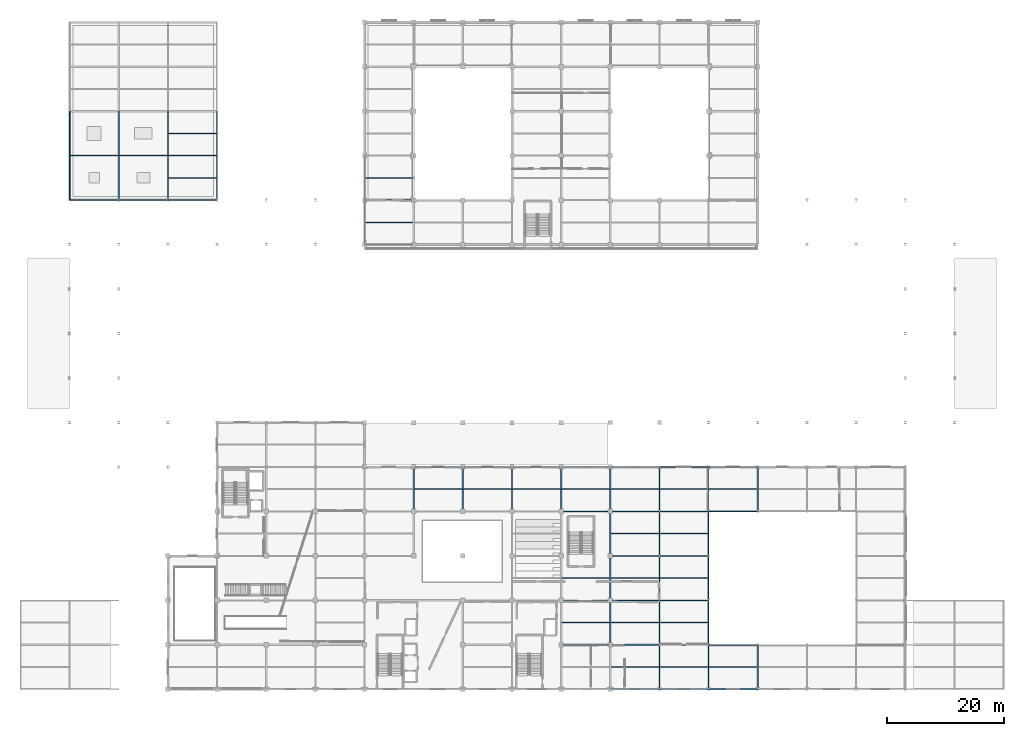
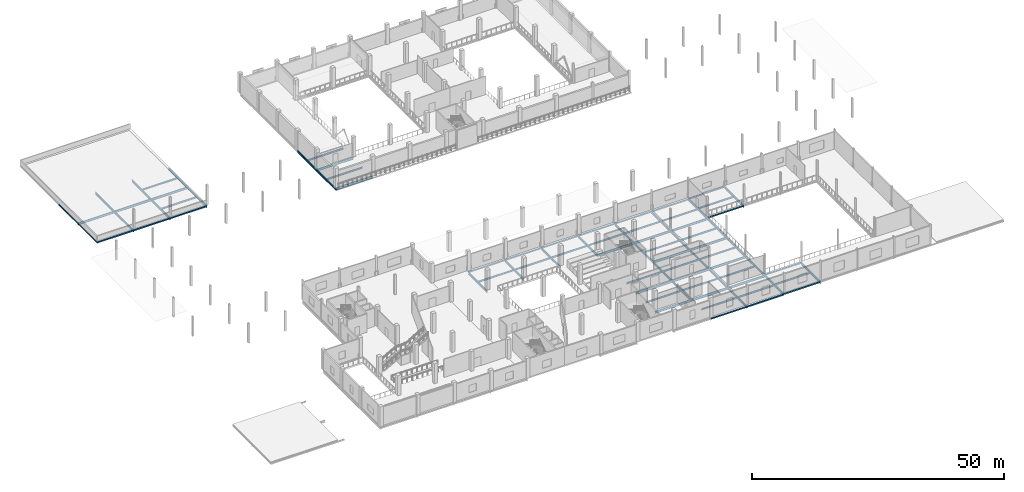
# One storey, part 17 of 51: 83 beams.
"""IFC4 building model written with IfcOpenShell, lengths in metres."""

from ifc_helpers import new_model, si_unit, direction, frame, origin, origin_2d, place, context, subcontext, project, spatial, hollow_rectangle, i_section, extrude, material, material_profile, profile_set, type_object, element, save


model = new_model("IFC4")

# Units and contexts
model_context = context("Model", 3, precision=1e-05, world=origin(), true_north=direction((0.0, 1.0)))
body_context = subcontext(model_context, "Body", "Model", "MODEL_VIEW")
ifc_project = project(units=[si_unit("LENGTHUNIT", "METRE"), si_unit("AREAUNIT", "SQUARE_METRE"), si_unit("VOLUMEUNIT", "CUBIC_METRE"), si_unit("PLANEANGLEUNIT", "RADIAN"), si_unit("MASSUNIT", "GRAM", prefix="KILO")], contexts=[model_context])

# Site, building, storey
site_placement = place(None, origin())
site = spatial("IfcSite", under=ifc_project, at=site_placement, CompositionType="ELEMENT")
building_placement = place(site_placement, origin())
building = spatial("IfcBuilding", under=site, at=building_placement, Name="Zuvorla Pavilion Media Centre", CompositionType="ELEMENT")
storey_placement = place(building_placement, frame((0.0, 0.0, 4.800048828125)))
storey = spatial("IfcBuildingStorey", under=building, at=storey_placement, Name="L01", CompositionType="ELEMENT", Elevation=4.800048828125)

# Beams
ifc_material = material(Name="Steel S355", Category="steel")
ifc_material_profile_1 = material_profile(ifc_material, hollow_rectangle(XDim=0.14990234375, YDim=0.25, WallThickness=0.010009765625, at=origin_2d()), Name="RHS 250x150x10")
ifc_profile_set_1 = profile_set([ifc_material_profile_1], Name="Steel S355")
beam_type_1 = type_object("IfcBeamType", Name="BM-SP-RHS250", PredefinedType="SPANDREL", material=ifc_profile_set_1)
beam_1_placement = place(storey_placement, frame((16.39990234375, 89.60009765625, -0.4130859375), z_axis=(0.0, 1.0, 0.0), x_axis=(-1.0, 0.0, 0.0)))
element("IfcBeam", 1, at=beam_1_placement, inside=storey, type_object=beam_type_1, Name="L01 spandrel SP02 573", PredefinedType="SPANDREL", context=body_context, shape_type="SweptSolid", body=[
    extrude(hollow_rectangle(XDim=0.14990234375, YDim=0.25, WallThickness=0.010009765625, at=origin_2d()), origin(), (0.0, 0.0, 1.0), 7.599853515625),
])
beam_2_placement = place(storey_placement, frame((16.39990234375, 97.199951171875, -0.4130859375), z_axis=(0.0, 1.0, 0.0), x_axis=(-1.0, 0.0, 0.0)))
element("IfcBeam", 2, at=beam_2_placement, inside=storey, type_object=beam_type_1, Name="L01 spandrel SP02 574", PredefinedType="SPANDREL", context=body_context, shape_type="SweptSolid", body=[
    extrude(hollow_rectangle(XDim=0.14990234375, YDim=0.25, WallThickness=0.010009765625, at=origin_2d()), origin(), (0.0, 0.0, 1.0), 7.60009765625),
])
ifc_material_profile_2 = material_profile(ifc_material, hollow_rectangle(XDim=0.199951171875, YDim=0.300048828125, WallThickness=0.012451171875, at=origin_2d()), Name="RHS 300x200x12.5")
ifc_profile_set_2 = profile_set([ifc_material_profile_2], Name="Steel S355")
beam_type_2 = type_object("IfcBeamType", Name="BM-SP-RHS300", PredefinedType="SPANDREL", material=ifc_profile_set_2)
beam_3_placement = place(storey_placement, frame((108.800048828125, 6.0, -0.578125), z_axis=(1.0, 0.0, 0.0), x_axis=(0.0, 1.0, 0.0)))
element("IfcBeam", 3, at=beam_3_placement, inside=storey, type_object=beam_type_2, Name="L01 spandrel SP01 439", PredefinedType="SPANDREL", context=body_context, shape_type="SweptSolid", body=[
    extrude(hollow_rectangle(XDim=0.199951171875, YDim=0.300048828125, WallThickness=0.012451171875, at=origin_2d()), origin(), (0.0, 0.0, 1.0), 8.39990234375),
])
beam_4_placement = place(storey_placement, frame((117.199951171875, 6.0, -0.578125), z_axis=(1.0, 0.0, 0.0), x_axis=(0.0, 1.0, 0.0)))
element("IfcBeam", 4, at=beam_4_placement, inside=storey, type_object=beam_type_2, Name="L01 spandrel SP01 440", PredefinedType="SPANDREL", context=body_context, shape_type="SweptSolid", body=[
    extrude(hollow_rectangle(XDim=0.199951171875, YDim=0.300048828125, WallThickness=0.012451171875, at=origin_2d()), origin(), (0.0, 0.0, 1.0), 8.400146484375),
])
for number, where, z_axis, x_axis, name in (
    (5, (125.60009765625, 6.0, -0.43798828125), (1.0, 0.0, 0.0), (0.0, 1.0, 0.0), "L01 spandrel SP01 441"),
    (6, (125.60009765625, 13.60009765625, -0.43798828125), (1.0, 0.0, 0.0), (0.0, 1.0, 0.0), "L01 spandrel SP01 457"),
    (7, (125.60009765625, 36.39990234375, -0.43798828125), (1.0, 0.0, 0.0), (0.0, 1.0, 0.0), "L01 spandrel SP01 495"),
):
    element("IfcBeam", number, at=place(storey_placement, frame(where, z_axis=z_axis, x_axis=x_axis)), inside=storey, type_object=beam_type_2, Name=name, PredefinedType="SPANDREL", context=body_context, shape_type="SweptSolid", body=[
        extrude(hollow_rectangle(XDim=0.199951171875, YDim=0.300048828125, WallThickness=0.012451171875, at=origin_2d()), origin(), (0.0, 0.0, 1.0), 8.39990234375),
    ])
beam_5_placement = place(storey_placement, frame((75.199951171875, 44.0, -0.578125), z_axis=(1.0, 0.0, 0.0), x_axis=(0.0, 1.0, 0.0)))
element("IfcBeam", 8, at=beam_5_placement, inside=storey, type_object=beam_type_2, Name="L01 spandrel SP01 503", PredefinedType="SPANDREL", context=body_context, shape_type="SweptSolid", body=[
    extrude(hollow_rectangle(XDim=0.199951171875, YDim=0.300048828125, WallThickness=0.012451171875, at=origin_2d()), origin(), (0.0, 0.0, 1.0), 8.400146484375),
])
for number, where, z_axis, x_axis, name in (
    (9, (83.60009765625, 44.0, -0.578125), (1.0, 0.0, 0.0), (0.0, 1.0, 0.0), "L01 spandrel SP01 504"),
    (10, (92.0, 44.0, -0.578125), (1.0, 0.0, 0.0), (0.0, 1.0, 0.0), "L01 spandrel SP01 505"),
):
    element("IfcBeam", number, at=place(storey_placement, frame(where, z_axis=z_axis, x_axis=x_axis)), inside=storey, type_object=beam_type_2, Name=name, PredefinedType="SPANDREL", context=body_context, shape_type="SweptSolid", body=[
        extrude(hollow_rectangle(XDim=0.199951171875, YDim=0.300048828125, WallThickness=0.012451171875, at=origin_2d()), origin(), (0.0, 0.0, 1.0), 8.39990234375),
    ])
beam_6_placement = place(storey_placement, frame((100.39990234375, 44.0, -0.578125), z_axis=(1.0, 0.0, 0.0), x_axis=(0.0, 1.0, 0.0)))
element("IfcBeam", 11, at=beam_6_placement, inside=storey, type_object=beam_type_2, Name="L01 spandrel SP01 506", PredefinedType="SPANDREL", context=body_context, shape_type="SweptSolid", body=[
    extrude(hollow_rectangle(XDim=0.199951171875, YDim=0.300048828125, WallThickness=0.012451171875, at=origin_2d()), origin(), (0.0, 0.0, 1.0), 8.400146484375),
])
beam_7_placement = place(storey_placement, frame((108.800048828125, 44.0, -0.578125), z_axis=(1.0, 0.0, 0.0), x_axis=(0.0, 1.0, 0.0)))
element("IfcBeam", 12, at=beam_7_placement, inside=storey, type_object=beam_type_2, Name="L01 spandrel SP01 507", PredefinedType="SPANDREL", context=body_context, shape_type="SweptSolid", body=[
    extrude(hollow_rectangle(XDim=0.199951171875, YDim=0.300048828125, WallThickness=0.012451171875, at=origin_2d()), origin(), (0.0, 0.0, 1.0), 8.39990234375),
])
beam_8_placement = place(storey_placement, frame((117.199951171875, 44.0, -0.578125), z_axis=(1.0, 0.0, 0.0), x_axis=(0.0, 1.0, 0.0)))
element("IfcBeam", 13, at=beam_8_placement, inside=storey, type_object=beam_type_2, Name="L01 spandrel SP01 508", PredefinedType="SPANDREL", context=body_context, shape_type="SweptSolid", body=[
    extrude(hollow_rectangle(XDim=0.199951171875, YDim=0.300048828125, WallThickness=0.012451171875, at=origin_2d()), origin(), (0.0, 0.0, 1.0), 8.400146484375),
])
beam_9_placement = place(storey_placement, frame((125.60009765625, 44.0, -0.43798828125), z_axis=(1.0, 0.0, 0.0), x_axis=(0.0, 1.0, 0.0)))
element("IfcBeam", 14, at=beam_9_placement, inside=storey, type_object=beam_type_2, Name="L01 spandrel SP01 509", PredefinedType="SPANDREL", context=body_context, shape_type="SweptSolid", body=[
    extrude(hollow_rectangle(XDim=0.199951171875, YDim=0.300048828125, WallThickness=0.012451171875, at=origin_2d()), origin(), (0.0, 0.0, 1.0), 8.39990234375),
])
beam_10_placement = place(storey_placement, frame((16.39990234375, 89.60009765625, -0.43798828125), z_axis=(1.0, 0.0, 0.0), x_axis=(0.0, 1.0, 0.0)))
element("IfcBeam", 15, at=beam_10_placement, inside=storey, type_object=beam_type_2, Name="L01 spandrel SP01 523", PredefinedType="SPANDREL", context=body_context, shape_type="SweptSolid", body=[
    extrude(hollow_rectangle(XDim=0.199951171875, YDim=0.300048828125, WallThickness=0.012451171875, at=origin_2d()), origin(), (0.0, 0.0, 1.0), 8.400146484375),
])
beam_11_placement = place(storey_placement, frame((24.800048828125, 89.60009765625, -0.43798828125), z_axis=(1.0, 0.0, 0.0), x_axis=(0.0, 1.0, 0.0)))
element("IfcBeam", 16, at=beam_11_placement, inside=storey, type_object=beam_type_2, Name="L01 spandrel SP01 524", PredefinedType="SPANDREL", context=body_context, shape_type="SweptSolid", body=[
    extrude(hollow_rectangle(XDim=0.199951171875, YDim=0.300048828125, WallThickness=0.012451171875, at=origin_2d()), origin(), (0.0, 0.0, 1.0), 8.39990234375),
])
beam_12_placement = place(storey_placement, frame((33.199951171875, 89.60009765625, -0.43798828125), z_axis=(1.0, 0.0, 0.0), x_axis=(0.0, 1.0, 0.0)))
element("IfcBeam", 17, at=beam_12_placement, inside=storey, type_object=beam_type_2, Name="L01 spandrel SP01 525", PredefinedType="SPANDREL", context=body_context, shape_type="SweptSolid", body=[
    extrude(hollow_rectangle(XDim=0.199951171875, YDim=0.300048828125, WallThickness=0.012451171875, at=origin_2d()), origin(), (0.0, 0.0, 1.0), 8.400146484375),
])
ifc_material_profile_3 = material_profile(ifc_material, i_section(OverallWidth=0.1787109375, OverallDepth=0.409423828125, WebThickness=0.0087890625, FlangeThickness=0.014404296875, FilletRadius=0.01025390625, at=origin_2d()), Name="UB 406x178x67")
ifc_profile_set_3 = profile_set([ifc_material_profile_3], Name="Steel S355")
beam_type_3 = type_object("IfcBeamType", Name="BM-UB406", PredefinedType="JOIST", material=ifc_profile_set_3)
for number, where, z_axis, x_axis, name in (
    (18, (33.300048828125, 93.39990234375, -0.49267578125), (1.0, 0.0, 0.0), (0.0, 1.0, 0.0), "L01 joist J02 708"),
    (19, (33.300048828125, 101.0, -0.49267578125), (1.0, 0.0, 0.0), (0.0, 1.0, 0.0), "L01 joist J02 709"),
):
    element("IfcBeam", number, at=place(storey_placement, frame(where, z_axis=z_axis, x_axis=x_axis)), inside=storey, type_object=beam_type_3, Name=name, PredefinedType="JOIST", context=body_context, shape_type="SweptSolid", body=[
        extrude(i_section(OverallWidth=0.1787109375, OverallDepth=0.409423828125, WebThickness=0.0087890625, FlangeThickness=0.014404296875, FilletRadius=0.01025390625, at=origin_2d()), origin(), (0.0, 0.0, 1.0), 8.199951171875),
    ])
for number, where, z_axis, x_axis, name in (
    (20, (66.89990234375, 85.800048828125, -0.49267578125), (1.0, 0.0, 0.0), (0.0, 1.0, 0.0), "L01 joist J02 727"),
    (21, (66.89990234375, 93.39990234375, -0.49267578125), (1.0, 0.0, 0.0), (0.0, 1.0, 0.0), "L01 joist J02 728"),
):
    element("IfcBeam", number, at=place(storey_placement, frame(where, z_axis=z_axis, x_axis=x_axis)), inside=storey, type_object=beam_type_3, Name=name, PredefinedType="JOIST", context=body_context, shape_type="SweptSolid", body=[
        extrude(i_section(OverallWidth=0.1787109375, OverallDepth=0.409423828125, WebThickness=0.0087890625, FlangeThickness=0.014404296875, FilletRadius=0.01025390625, at=origin_2d()), origin(), (0.0, 0.0, 1.0), 8.2001953125),
    ])
for number, where, z_axis, x_axis, name in (
    (22, (75.300048828125, 40.199951171875, -0.6328125), (1.0, 0.0, 0.0), (0.0, 1.0, 0.0), "L01 joist J02 732"),
    (23, (83.699951171875, 40.199951171875, -0.6328125), (1.0, 0.0, 0.0), (0.0, 1.0, 0.0), "L01 joist J02 737"),
    (24, (92.10009765625, 40.199951171875, -0.6328125), (1.0, 0.0, 0.0), (0.0, 1.0, 0.0), "L01 joist J02 742"),
    (25, (100.5, 17.39990234375, -0.6328125), (1.0, 0.0, 0.0), (0.0, 1.0, 0.0), "L01 joist J02 748"),
    (26, (100.5, 25.0, -0.6328125), (1.0, 0.0, 0.0), (0.0, 1.0, 0.0), "L01 joist J02 749"),
    (27, (100.5, 40.199951171875, -0.6328125), (1.0, 0.0, 0.0), (0.0, 1.0, 0.0), "L01 joist J02 750"),
):
    element("IfcBeam", number, at=place(storey_placement, frame(where, z_axis=z_axis, x_axis=x_axis)), inside=storey, type_object=beam_type_3, Name=name, PredefinedType="JOIST", context=body_context, shape_type="SweptSolid", body=[
        extrude(i_section(OverallWidth=0.1787109375, OverallDepth=0.409423828125, WebThickness=0.0087890625, FlangeThickness=0.014404296875, FilletRadius=0.01025390625, at=origin_2d()), origin(), (0.0, 0.0, 1.0), 8.199951171875),
    ])
for number, where, z_axis, x_axis, name in (
    (28, (108.89990234375, 9.800048828125, -0.6328125), (1.0, 0.0, 0.0), (0.0, 1.0, 0.0), "L01 joist J02 756"),
    (29, (108.89990234375, 17.39990234375, -0.6328125), (1.0, 0.0, 0.0), (0.0, 1.0, 0.0), "L01 joist J02 757"),
    (30, (108.89990234375, 25.0, -0.6328125), (1.0, 0.0, 0.0), (0.0, 1.0, 0.0), "L01 joist J02 758"),
    (31, (108.89990234375, 32.60009765625, -0.6328125), (1.0, 0.0, 0.0), (0.0, 1.0, 0.0), "L01 joist J02 759"),
    (32, (108.89990234375, 40.199951171875, -0.6328125), (1.0, 0.0, 0.0), (0.0, 1.0, 0.0), "L01 joist J02 760"),
):
    element("IfcBeam", number, at=place(storey_placement, frame(where, z_axis=z_axis, x_axis=x_axis)), inside=storey, type_object=beam_type_3, Name=name, PredefinedType="JOIST", context=body_context, shape_type="SweptSolid", body=[
        extrude(i_section(OverallWidth=0.1787109375, OverallDepth=0.409423828125, WebThickness=0.0087890625, FlangeThickness=0.014404296875, FilletRadius=0.01025390625, at=origin_2d()), origin(), (0.0, 0.0, 1.0), 8.2001953125),
    ])
for number, where, z_axis, x_axis, name in (
    (33, (117.300048828125, 9.800048828125, -0.6328125), (1.0, 0.0, 0.0), (0.0, 1.0, 0.0), "L01 joist J02 763"),
    (34, (117.300048828125, 17.39990234375, -0.6328125), (1.0, 0.0, 0.0), (0.0, 1.0, 0.0), "L01 joist J02 764"),
    (35, (117.300048828125, 25.0, -0.6328125), (1.0, 0.0, 0.0), (0.0, 1.0, 0.0), "L01 joist J02 765"),
    (36, (117.300048828125, 32.60009765625, -0.6328125), (1.0, 0.0, 0.0), (0.0, 1.0, 0.0), "L01 joist J02 766"),
    (37, (117.300048828125, 40.199951171875, -0.6328125), (1.0, 0.0, 0.0), (0.0, 1.0, 0.0), "L01 joist J02 767"),
    (38, (125.699951171875, 9.800048828125, -0.49267578125), (1.0, 0.0, 0.0), (0.0, 1.0, 0.0), "L01 joist J02 770"),
    (39, (125.699951171875, 40.199951171875, -0.49267578125), (1.0, 0.0, 0.0), (0.0, 1.0, 0.0), "L01 joist J02 771"),
):
    element("IfcBeam", number, at=place(storey_placement, frame(where, z_axis=z_axis, x_axis=x_axis)), inside=storey, type_object=beam_type_3, Name=name, PredefinedType="JOIST", context=body_context, shape_type="SweptSolid", body=[
        extrude(i_section(OverallWidth=0.1787109375, OverallDepth=0.409423828125, WebThickness=0.0087890625, FlangeThickness=0.014404296875, FilletRadius=0.01025390625, at=origin_2d()), origin(), (0.0, 0.0, 1.0), 8.199951171875),
    ])
ifc_material_profile_4 = material_profile(ifc_material, i_section(OverallWidth=0.2099609375, OverallDepth=0.53662109375, WebThickness=0.0107421875, FlangeThickness=0.017333984375, FilletRadius=0.0126953125, at=origin_2d()), Name="UB 533x210x101")
ifc_profile_set_4 = profile_set([ifc_material_profile_4], Name="Steel S355")
beam_type_4 = type_object("IfcBeamType", Name="BM-UB533", PredefinedType="BEAM", material=ifc_profile_set_4)
beam_13_placement = place(storey_placement, frame((100.39990234375, 13.60009765625, -0.6962890625), z_axis=(1.0, 0.0, 0.0), x_axis=(0.0, 1.0, 0.0)))
element("IfcBeam", 40, at=beam_13_placement, inside=storey, type_object=beam_type_4, Name="L01 beam B08 454", PredefinedType="BEAM", context=body_context, shape_type="SweptSolid", body=[
    extrude(i_section(OverallWidth=0.2099609375, OverallDepth=0.53662109375, WebThickness=0.0107421875, FlangeThickness=0.017333984375, FilletRadius=0.0126953125, at=origin_2d()), origin(), (0.0, 0.0, 1.0), 8.400146484375),
])
beam_14_placement = place(storey_placement, frame((108.800048828125, 13.60009765625, -0.6962890625), z_axis=(1.0, 0.0, 0.0), x_axis=(0.0, 1.0, 0.0)))
element("IfcBeam", 41, at=beam_14_placement, inside=storey, type_object=beam_type_4, Name="L01 beam B08 455", PredefinedType="BEAM", context=body_context, shape_type="SweptSolid", body=[
    extrude(i_section(OverallWidth=0.2099609375, OverallDepth=0.53662109375, WebThickness=0.0107421875, FlangeThickness=0.017333984375, FilletRadius=0.0126953125, at=origin_2d()), origin(), (0.0, 0.0, 1.0), 8.39990234375),
])
for number, where, z_axis, x_axis, name in (
    (42, (117.199951171875, 13.60009765625, -0.6962890625), (1.0, 0.0, 0.0), (0.0, 1.0, 0.0), "L01 beam B08 456"),
    (43, (100.39990234375, 21.199951171875, -0.6962890625), (1.0, 0.0, 0.0), (0.0, 1.0, 0.0), "L01 beam B08 471"),
):
    element("IfcBeam", number, at=place(storey_placement, frame(where, z_axis=z_axis, x_axis=x_axis)), inside=storey, type_object=beam_type_4, Name=name, PredefinedType="BEAM", context=body_context, shape_type="SweptSolid", body=[
        extrude(i_section(OverallWidth=0.2099609375, OverallDepth=0.53662109375, WebThickness=0.0107421875, FlangeThickness=0.017333984375, FilletRadius=0.0126953125, at=origin_2d()), origin(), (0.0, 0.0, 1.0), 8.400146484375),
    ])
beam_15_placement = place(storey_placement, frame((108.800048828125, 21.199951171875, -0.6962890625), z_axis=(1.0, 0.0, 0.0), x_axis=(0.0, 1.0, 0.0)))
element("IfcBeam", 44, at=beam_15_placement, inside=storey, type_object=beam_type_4, Name="L01 beam B08 472", PredefinedType="BEAM", context=body_context, shape_type="SweptSolid", body=[
    extrude(i_section(OverallWidth=0.2099609375, OverallDepth=0.53662109375, WebThickness=0.0107421875, FlangeThickness=0.017333984375, FilletRadius=0.0126953125, at=origin_2d()), origin(), (0.0, 0.0, 1.0), 8.39990234375),
])
beam_16_placement = place(storey_placement, frame((117.199951171875, 21.199951171875, -0.6962890625), z_axis=(1.0, 0.0, 0.0), x_axis=(0.0, 1.0, 0.0)))
element("IfcBeam", 45, at=beam_16_placement, inside=storey, type_object=beam_type_4, Name="L01 beam B08 473", PredefinedType="BEAM", context=body_context, shape_type="SweptSolid", body=[
    extrude(i_section(OverallWidth=0.2099609375, OverallDepth=0.53662109375, WebThickness=0.0107421875, FlangeThickness=0.017333984375, FilletRadius=0.0126953125, at=origin_2d()), origin(), (0.0, 0.0, 1.0), 8.400146484375),
])
beam_17_placement = place(storey_placement, frame((108.800048828125, 28.800048828125, -0.6962890625), z_axis=(1.0, 0.0, 0.0), x_axis=(0.0, 1.0, 0.0)))
element("IfcBeam", 46, at=beam_17_placement, inside=storey, type_object=beam_type_4, Name="L01 beam B08 483", PredefinedType="BEAM", context=body_context, shape_type="SweptSolid", body=[
    extrude(i_section(OverallWidth=0.2099609375, OverallDepth=0.53662109375, WebThickness=0.0107421875, FlangeThickness=0.017333984375, FilletRadius=0.0126953125, at=origin_2d()), origin(), (0.0, 0.0, 1.0), 8.39990234375),
])
for number, where, z_axis, x_axis, name in (
    (47, (117.199951171875, 28.800048828125, -0.6962890625), (1.0, 0.0, 0.0), (0.0, 1.0, 0.0), "L01 beam B08 484"),
    (48, (100.39990234375, 36.39990234375, -0.6962890625), (1.0, 0.0, 0.0), (0.0, 1.0, 0.0), "L01 beam B08 492"),
):
    element("IfcBeam", number, at=place(storey_placement, frame(where, z_axis=z_axis, x_axis=x_axis)), inside=storey, type_object=beam_type_4, Name=name, PredefinedType="BEAM", context=body_context, shape_type="SweptSolid", body=[
        extrude(i_section(OverallWidth=0.2099609375, OverallDepth=0.53662109375, WebThickness=0.0107421875, FlangeThickness=0.017333984375, FilletRadius=0.0126953125, at=origin_2d()), origin(), (0.0, 0.0, 1.0), 8.400146484375),
    ])
beam_18_placement = place(storey_placement, frame((108.800048828125, 36.39990234375, -0.6962890625), z_axis=(1.0, 0.0, 0.0), x_axis=(0.0, 1.0, 0.0)))
element("IfcBeam", 49, at=beam_18_placement, inside=storey, type_object=beam_type_4, Name="L01 beam B08 493", PredefinedType="BEAM", context=body_context, shape_type="SweptSolid", body=[
    extrude(i_section(OverallWidth=0.2099609375, OverallDepth=0.53662109375, WebThickness=0.0107421875, FlangeThickness=0.017333984375, FilletRadius=0.0126953125, at=origin_2d()), origin(), (0.0, 0.0, 1.0), 8.39990234375),
])
beam_19_placement = place(storey_placement, frame((117.199951171875, 36.39990234375, -0.6962890625), z_axis=(1.0, 0.0, 0.0), x_axis=(0.0, 1.0, 0.0)))
element("IfcBeam", 50, at=beam_19_placement, inside=storey, type_object=beam_type_4, Name="L01 beam B08 494", PredefinedType="BEAM", context=body_context, shape_type="SweptSolid", body=[
    extrude(i_section(OverallWidth=0.2099609375, OverallDepth=0.53662109375, WebThickness=0.0107421875, FlangeThickness=0.017333984375, FilletRadius=0.0126953125, at=origin_2d()), origin(), (0.0, 0.0, 1.0), 8.400146484375),
])
for number, where, z_axis, x_axis, name in (
    (51, (66.800048828125, 82.0, -0.556396484375), (1.0, 0.0, 0.0), (0.0, 1.0, 0.0), "L01 beam B08 516"),
    (52, (66.800048828125, 89.60009765625, -0.556396484375), (1.0, 0.0, 0.0), (0.0, 1.0, 0.0), "L01 beam B08 526"),
):
    element("IfcBeam", number, at=place(storey_placement, frame(where, z_axis=z_axis, x_axis=x_axis)), inside=storey, type_object=beam_type_4, Name=name, PredefinedType="BEAM", context=body_context, shape_type="SweptSolid", body=[
        extrude(i_section(OverallWidth=0.2099609375, OverallDepth=0.53662109375, WebThickness=0.0107421875, FlangeThickness=0.017333984375, FilletRadius=0.0126953125, at=origin_2d()), origin(), (0.0, 0.0, 1.0), 8.39990234375),
    ])
beam_20_placement = place(storey_placement, frame((16.39990234375, 97.199951171875, -0.556396484375), z_axis=(1.0, 0.0, 0.0), x_axis=(0.0, 1.0, 0.0)))
element("IfcBeam", 53, at=beam_20_placement, inside=storey, type_object=beam_type_4, Name="L01 beam B08 533", PredefinedType="BEAM", context=body_context, shape_type="SweptSolid", body=[
    extrude(i_section(OverallWidth=0.2099609375, OverallDepth=0.53662109375, WebThickness=0.0107421875, FlangeThickness=0.017333984375, FilletRadius=0.0126953125, at=origin_2d()), origin(), (0.0, 0.0, 1.0), 8.400146484375),
])
beam_21_placement = place(storey_placement, frame((24.800048828125, 97.199951171875, -0.556396484375), z_axis=(1.0, 0.0, 0.0), x_axis=(0.0, 1.0, 0.0)))
element("IfcBeam", 54, at=beam_21_placement, inside=storey, type_object=beam_type_4, Name="L01 beam B08 534", PredefinedType="BEAM", context=body_context, shape_type="SweptSolid", body=[
    extrude(i_section(OverallWidth=0.2099609375, OverallDepth=0.53662109375, WebThickness=0.0107421875, FlangeThickness=0.017333984375, FilletRadius=0.0126953125, at=origin_2d()), origin(), (0.0, 0.0, 1.0), 8.39990234375),
])
beam_22_placement = place(storey_placement, frame((33.199951171875, 97.199951171875, -0.556396484375), z_axis=(1.0, 0.0, 0.0), x_axis=(0.0, 1.0, 0.0)))
element("IfcBeam", 55, at=beam_22_placement, inside=storey, type_object=beam_type_4, Name="L01 beam B08 535", PredefinedType="BEAM", context=body_context, shape_type="SweptSolid", body=[
    extrude(i_section(OverallWidth=0.2099609375, OverallDepth=0.53662109375, WebThickness=0.0107421875, FlangeThickness=0.017333984375, FilletRadius=0.0126953125, at=origin_2d()), origin(), (0.0, 0.0, 1.0), 8.400146484375),
])
beam_23_placement = place(storey_placement, frame((24.800048828125, 89.60009765625, -0.556396484375), z_axis=(0.0, 1.0, 0.0), x_axis=(-1.0, 0.0, 0.0)))
element("IfcBeam", 56, at=beam_23_placement, inside=storey, type_object=beam_type_4, Name="L01 beam B08 577", PredefinedType="BEAM", context=body_context, shape_type="SweptSolid", body=[
    extrude(i_section(OverallWidth=0.2099609375, OverallDepth=0.53662109375, WebThickness=0.0107421875, FlangeThickness=0.017333984375, FilletRadius=0.0126953125, at=origin_2d()), origin(), (0.0, 0.0, 1.0), 7.599853515625),
])
beam_24_placement = place(storey_placement, frame((24.800048828125, 97.199951171875, -0.556396484375), z_axis=(0.0, 1.0, 0.0), x_axis=(-1.0, 0.0, 0.0)))
element("IfcBeam", 57, at=beam_24_placement, inside=storey, type_object=beam_type_4, Name="L01 beam B08 578", PredefinedType="BEAM", context=body_context, shape_type="SweptSolid", body=[
    extrude(i_section(OverallWidth=0.2099609375, OverallDepth=0.53662109375, WebThickness=0.0107421875, FlangeThickness=0.017333984375, FilletRadius=0.0126953125, at=origin_2d()), origin(), (0.0, 0.0, 1.0), 7.60009765625),
])
beam_25_placement = place(storey_placement, frame((33.199951171875, 89.60009765625, -0.556396484375), z_axis=(0.0, 1.0, 0.0), x_axis=(-1.0, 0.0, 0.0)))
element("IfcBeam", 58, at=beam_25_placement, inside=storey, type_object=beam_type_4, Name="L01 beam B08 584", PredefinedType="BEAM", context=body_context, shape_type="SweptSolid", body=[
    extrude(i_section(OverallWidth=0.2099609375, OverallDepth=0.53662109375, WebThickness=0.0107421875, FlangeThickness=0.017333984375, FilletRadius=0.0126953125, at=origin_2d()), origin(), (0.0, 0.0, 1.0), 7.599853515625),
])
beam_26_placement = place(storey_placement, frame((33.199951171875, 97.199951171875, -0.556396484375), z_axis=(0.0, 1.0, 0.0), x_axis=(-1.0, 0.0, 0.0)))
element("IfcBeam", 59, at=beam_26_placement, inside=storey, type_object=beam_type_4, Name="L01 beam B08 585", PredefinedType="BEAM", context=body_context, shape_type="SweptSolid", body=[
    extrude(i_section(OverallWidth=0.2099609375, OverallDepth=0.53662109375, WebThickness=0.0107421875, FlangeThickness=0.017333984375, FilletRadius=0.0126953125, at=origin_2d()), origin(), (0.0, 0.0, 1.0), 7.60009765625),
])
beam_27_placement = place(storey_placement, frame((41.60009765625, 89.60009765625, -0.556396484375), z_axis=(0.0, 1.0, 0.0), x_axis=(-1.0, 0.0, 0.0)))
element("IfcBeam", 60, at=beam_27_placement, inside=storey, type_object=beam_type_4, Name="L01 beam B08 594", PredefinedType="BEAM", context=body_context, shape_type="SweptSolid", body=[
    extrude(i_section(OverallWidth=0.2099609375, OverallDepth=0.53662109375, WebThickness=0.0107421875, FlangeThickness=0.017333984375, FilletRadius=0.0126953125, at=origin_2d()), origin(), (0.0, 0.0, 1.0), 7.599853515625),
])
for number, where, z_axis, x_axis, name in (
    (61, (41.60009765625, 97.199951171875, -0.556396484375), (0.0, 1.0, 0.0), (-1.0, 0.0, 0.0), "L01 beam B08 595"),
    (62, (66.800048828125, 82.0, -0.556396484375), (0.0, 1.0, 0.0), (-1.0, 0.0, 0.0), "L01 beam B08 614"),
):
    element("IfcBeam", number, at=place(storey_placement, frame(where, z_axis=z_axis, x_axis=x_axis)), inside=storey, type_object=beam_type_4, Name=name, PredefinedType="BEAM", context=body_context, shape_type="SweptSolid", body=[
        extrude(i_section(OverallWidth=0.2099609375, OverallDepth=0.53662109375, WebThickness=0.0107421875, FlangeThickness=0.017333984375, FilletRadius=0.0126953125, at=origin_2d()), origin(), (0.0, 0.0, 1.0), 7.60009765625),
    ])
beam_28_placement = place(storey_placement, frame((66.800048828125, 89.60009765625, -0.556396484375), z_axis=(0.0, 1.0, 0.0), x_axis=(-1.0, 0.0, 0.0)))
element("IfcBeam", 63, at=beam_28_placement, inside=storey, type_object=beam_type_4, Name="L01 beam B08 615", PredefinedType="BEAM", context=body_context, shape_type="SweptSolid", body=[
    extrude(i_section(OverallWidth=0.2099609375, OverallDepth=0.53662109375, WebThickness=0.0107421875, FlangeThickness=0.017333984375, FilletRadius=0.0126953125, at=origin_2d()), origin(), (0.0, 0.0, 1.0), 7.599853515625),
])
for number, where, z_axis, x_axis, name in (
    (64, (75.199951171875, 36.39990234375, -0.6962890625), (0.0, 1.0, 0.0), (-1.0, 0.0, 0.0), "L01 beam B08 620"),
    (65, (83.60009765625, 36.39990234375, -0.6962890625), (0.0, 1.0, 0.0), (-1.0, 0.0, 0.0), "L01 beam B08 628"),
    (66, (92.0, 36.39990234375, -0.6962890625), (0.0, 1.0, 0.0), (-1.0, 0.0, 0.0), "L01 beam B08 635"),
    (67, (100.39990234375, 36.39990234375, -0.6962890625), (0.0, 1.0, 0.0), (-1.0, 0.0, 0.0), "L01 beam B08 645"),
):
    element("IfcBeam", number, at=place(storey_placement, frame(where, z_axis=z_axis, x_axis=x_axis)), inside=storey, type_object=beam_type_4, Name=name, PredefinedType="BEAM", context=body_context, shape_type="SweptSolid", body=[
        extrude(i_section(OverallWidth=0.2099609375, OverallDepth=0.53662109375, WebThickness=0.0107421875, FlangeThickness=0.017333984375, FilletRadius=0.0126953125, at=origin_2d()), origin(), (0.0, 0.0, 1.0), 7.60009765625),
    ])
beam_29_placement = place(storey_placement, frame((108.800048828125, 13.60009765625, -0.6962890625), z_axis=(0.0, 1.0, 0.0), x_axis=(-1.0, 0.0, 0.0)))
element("IfcBeam", 68, at=beam_29_placement, inside=storey, type_object=beam_type_4, Name="L01 beam B08 652", PredefinedType="BEAM", context=body_context, shape_type="SweptSolid", body=[
    extrude(i_section(OverallWidth=0.2099609375, OverallDepth=0.53662109375, WebThickness=0.0107421875, FlangeThickness=0.017333984375, FilletRadius=0.0126953125, at=origin_2d()), origin(), (0.0, 0.0, 1.0), 7.599853515625),
])
beam_30_placement = place(storey_placement, frame((108.800048828125, 21.199951171875, -0.6962890625), z_axis=(0.0, 1.0, 0.0), x_axis=(-1.0, 0.0, 0.0)))
element("IfcBeam", 69, at=beam_30_placement, inside=storey, type_object=beam_type_4, Name="L01 beam B08 653", PredefinedType="BEAM", context=body_context, shape_type="SweptSolid", body=[
    extrude(i_section(OverallWidth=0.2099609375, OverallDepth=0.53662109375, WebThickness=0.0107421875, FlangeThickness=0.017333984375, FilletRadius=0.0126953125, at=origin_2d()), origin(), (0.0, 0.0, 1.0), 7.60009765625),
])
beam_31_placement = place(storey_placement, frame((108.800048828125, 28.800048828125, -0.6962890625), z_axis=(0.0, 1.0, 0.0), x_axis=(-1.0, 0.0, 0.0)))
element("IfcBeam", 70, at=beam_31_placement, inside=storey, type_object=beam_type_4, Name="L01 beam B08 654", PredefinedType="BEAM", context=body_context, shape_type="SweptSolid", body=[
    extrude(i_section(OverallWidth=0.2099609375, OverallDepth=0.53662109375, WebThickness=0.0107421875, FlangeThickness=0.017333984375, FilletRadius=0.0126953125, at=origin_2d()), origin(), (0.0, 0.0, 1.0), 7.599853515625),
])
for number, where, z_axis, x_axis, name in (
    (71, (108.800048828125, 36.39990234375, -0.6962890625), (0.0, 1.0, 0.0), (-1.0, 0.0, 0.0), "L01 beam B08 655"),
    (72, (117.199951171875, 6.0, -0.6962890625), (0.0, 1.0, 0.0), (-1.0, 0.0, 0.0), "L01 beam B08 661"),
):
    element("IfcBeam", number, at=place(storey_placement, frame(where, z_axis=z_axis, x_axis=x_axis)), inside=storey, type_object=beam_type_4, Name=name, PredefinedType="BEAM", context=body_context, shape_type="SweptSolid", body=[
        extrude(i_section(OverallWidth=0.2099609375, OverallDepth=0.53662109375, WebThickness=0.0107421875, FlangeThickness=0.017333984375, FilletRadius=0.0126953125, at=origin_2d()), origin(), (0.0, 0.0, 1.0), 7.60009765625),
    ])
beam_32_placement = place(storey_placement, frame((117.199951171875, 13.60009765625, -0.6962890625), z_axis=(0.0, 1.0, 0.0), x_axis=(-1.0, 0.0, 0.0)))
element("IfcBeam", 73, at=beam_32_placement, inside=storey, type_object=beam_type_4, Name="L01 beam B08 662", PredefinedType="BEAM", context=body_context, shape_type="SweptSolid", body=[
    extrude(i_section(OverallWidth=0.2099609375, OverallDepth=0.53662109375, WebThickness=0.0107421875, FlangeThickness=0.017333984375, FilletRadius=0.0126953125, at=origin_2d()), origin(), (0.0, 0.0, 1.0), 7.599853515625),
])
beam_33_placement = place(storey_placement, frame((117.199951171875, 21.199951171875, -0.6962890625), z_axis=(0.0, 1.0, 0.0), x_axis=(-1.0, 0.0, 0.0)))
element("IfcBeam", 74, at=beam_33_placement, inside=storey, type_object=beam_type_4, Name="L01 beam B08 663", PredefinedType="BEAM", context=body_context, shape_type="SweptSolid", body=[
    extrude(i_section(OverallWidth=0.2099609375, OverallDepth=0.53662109375, WebThickness=0.0107421875, FlangeThickness=0.017333984375, FilletRadius=0.0126953125, at=origin_2d()), origin(), (0.0, 0.0, 1.0), 7.60009765625),
])
beam_34_placement = place(storey_placement, frame((117.199951171875, 28.800048828125, -0.6962890625), z_axis=(0.0, 1.0, 0.0), x_axis=(-1.0, 0.0, 0.0)))
element("IfcBeam", 75, at=beam_34_placement, inside=storey, type_object=beam_type_4, Name="L01 beam B08 664", PredefinedType="BEAM", context=body_context, shape_type="SweptSolid", body=[
    extrude(i_section(OverallWidth=0.2099609375, OverallDepth=0.53662109375, WebThickness=0.0107421875, FlangeThickness=0.017333984375, FilletRadius=0.0126953125, at=origin_2d()), origin(), (0.0, 0.0, 1.0), 7.599853515625),
])
for number, where, z_axis, x_axis, name in (
    (76, (117.199951171875, 36.39990234375, -0.6962890625), (0.0, 1.0, 0.0), (-1.0, 0.0, 0.0), "L01 beam B08 665"),
    (77, (125.60009765625, 6.0, -0.556396484375), (0.0, 1.0, 0.0), (-1.0, 0.0, 0.0), "L01 beam B08 668"),
):
    element("IfcBeam", number, at=place(storey_placement, frame(where, z_axis=z_axis, x_axis=x_axis)), inside=storey, type_object=beam_type_4, Name=name, PredefinedType="BEAM", context=body_context, shape_type="SweptSolid", body=[
        extrude(i_section(OverallWidth=0.2099609375, OverallDepth=0.53662109375, WebThickness=0.0107421875, FlangeThickness=0.017333984375, FilletRadius=0.0126953125, at=origin_2d()), origin(), (0.0, 0.0, 1.0), 7.60009765625),
    ])
beam_35_placement = place(storey_placement, frame((125.60009765625, 13.60009765625, -0.556396484375), z_axis=(0.0, 1.0, 0.0), x_axis=(-1.0, 0.0, 0.0)))
element("IfcBeam", 78, at=beam_35_placement, inside=storey, type_object=beam_type_4, Name="L01 beam B08 669", PredefinedType="BEAM", context=body_context, shape_type="SweptSolid", body=[
    extrude(i_section(OverallWidth=0.2099609375, OverallDepth=0.53662109375, WebThickness=0.0107421875, FlangeThickness=0.017333984375, FilletRadius=0.0126953125, at=origin_2d()), origin(), (0.0, 0.0, 1.0), 7.599853515625),
])
beam_36_placement = place(storey_placement, frame((125.60009765625, 21.199951171875, -0.556396484375), z_axis=(0.0, 1.0, 0.0), x_axis=(-1.0, 0.0, 0.0)))
element("IfcBeam", 79, at=beam_36_placement, inside=storey, type_object=beam_type_4, Name="L01 beam B08 670", PredefinedType="BEAM", context=body_context, shape_type="SweptSolid", body=[
    extrude(i_section(OverallWidth=0.2099609375, OverallDepth=0.53662109375, WebThickness=0.0107421875, FlangeThickness=0.017333984375, FilletRadius=0.0126953125, at=origin_2d()), origin(), (0.0, 0.0, 1.0), 7.60009765625),
])
beam_37_placement = place(storey_placement, frame((125.60009765625, 28.800048828125, -0.556396484375), z_axis=(0.0, 1.0, 0.0), x_axis=(-1.0, 0.0, 0.0)))
element("IfcBeam", 80, at=beam_37_placement, inside=storey, type_object=beam_type_4, Name="L01 beam B08 671", PredefinedType="BEAM", context=body_context, shape_type="SweptSolid", body=[
    extrude(i_section(OverallWidth=0.2099609375, OverallDepth=0.53662109375, WebThickness=0.0107421875, FlangeThickness=0.017333984375, FilletRadius=0.0126953125, at=origin_2d()), origin(), (0.0, 0.0, 1.0), 7.599853515625),
])
for number, where, z_axis, x_axis, name in (
    (81, (125.60009765625, 36.39990234375, -0.556396484375), (0.0, 1.0, 0.0), (-1.0, 0.0, 0.0), "L01 beam B08 672"),
    (82, (134.0, 6.0, -0.556396484375), (0.0, 1.0, 0.0), (-1.0, 0.0, 0.0), "L01 beam B08 678"),
    (83, (134.0, 36.39990234375, -0.556396484375), (0.0, 1.0, 0.0), (-1.0, 0.0, 0.0), "L01 beam B08 679"),
):
    element("IfcBeam", number, at=place(storey_placement, frame(where, z_axis=z_axis, x_axis=x_axis)), inside=storey, type_object=beam_type_4, Name=name, PredefinedType="BEAM", context=body_context, shape_type="SweptSolid", body=[
        extrude(i_section(OverallWidth=0.2099609375, OverallDepth=0.53662109375, WebThickness=0.0107421875, FlangeThickness=0.017333984375, FilletRadius=0.0126953125, at=origin_2d()), origin(), (0.0, 0.0, 1.0), 7.60009765625),
    ])

save(model, "model.ifc")
